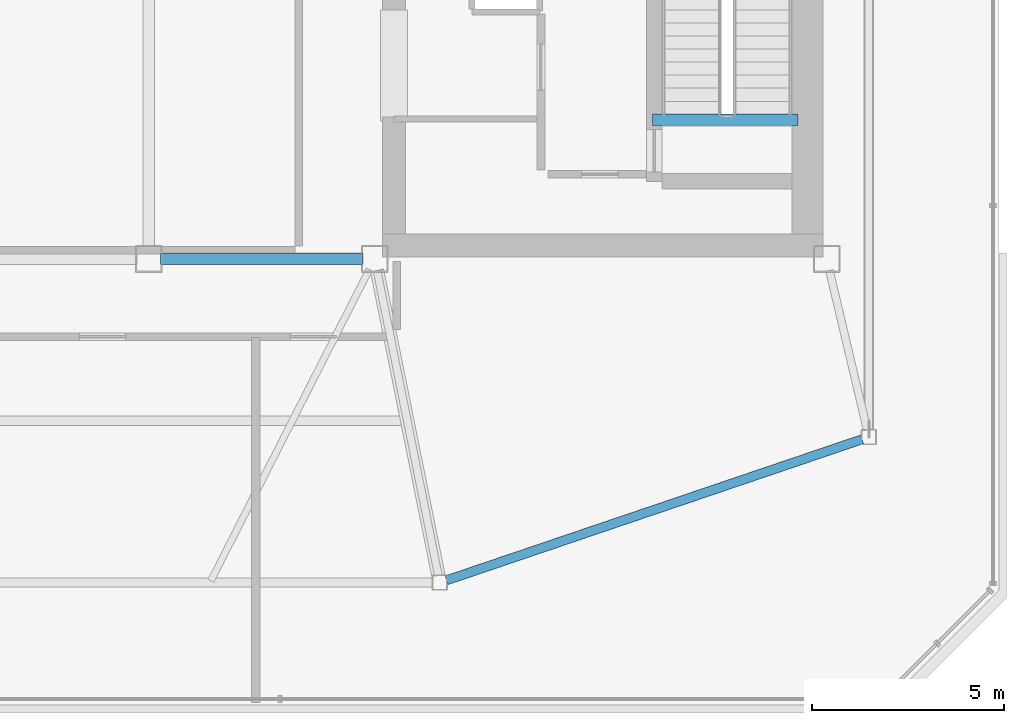
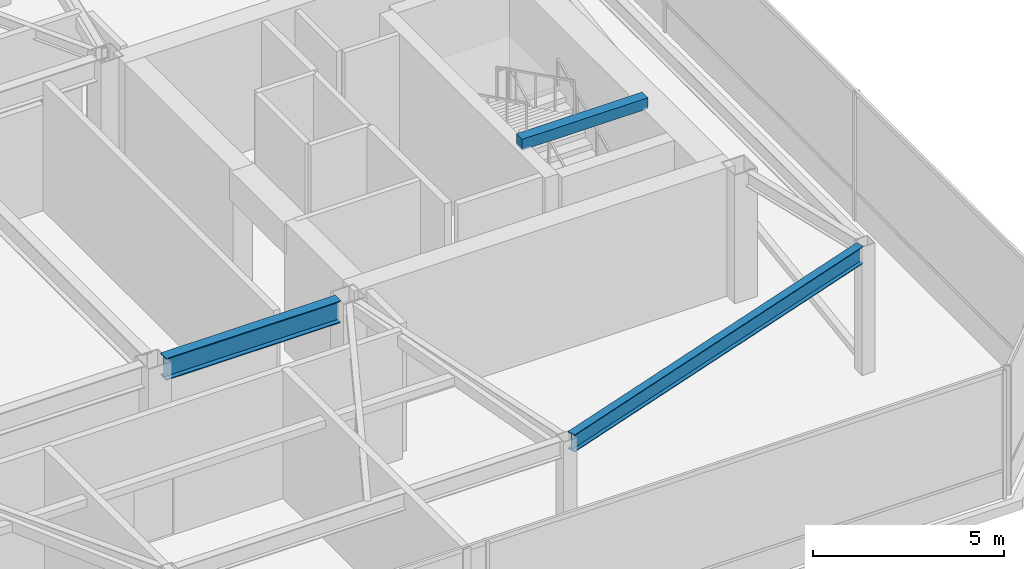
# One storey, part 9 of 21: 3 beams.
"""IFC4 building model written with IfcOpenShell, lengths in metres."""

from ifc_helpers import new_model, si_unit, direction, frame, origin, origin_2d, place, context, subcontext, project, spatial, rectangle, i_section, extrude, material, material_profile, profile_set, type_object, element, save


model = new_model("IFC4")

# Units and contexts
model_context = context("Model", 3, precision=1e-05, world=origin(), true_north=direction((0.0, 1.0)))
body_context = subcontext(model_context, "Body", "Model", "MODEL_VIEW")
ifc_project = project(units=[si_unit("LENGTHUNIT", "METRE"), si_unit("AREAUNIT", "SQUARE_METRE"), si_unit("VOLUMEUNIT", "CUBIC_METRE"), si_unit("PLANEANGLEUNIT", "RADIAN"), si_unit("MASSUNIT", "GRAM", prefix="KILO")], contexts=[model_context])

# Site, building, storey
site_placement = place(None, origin())
site = spatial("IfcSite", under=ifc_project, at=site_placement, CompositionType="ELEMENT")
building_placement = place(site_placement, origin())
building = spatial("IfcBuilding", under=site, at=building_placement, Name="Tavrogorsk Clinical Tower", CompositionType="ELEMENT")
storey_placement = place(building_placement, frame((0.0, 0.0, 344.199951171875)))
storey = spatial("IfcBuildingStorey", under=building, at=storey_placement, Name="L80", CompositionType="ELEMENT", Elevation=344.199951171875)

# Beams
ifc_material_1 = material(Name="Structural steel S390", Category="steel")
ifc_material_profile_1 = material_profile(ifc_material_1, i_section(OverallWidth=0.300048828125, OverallDepth=0.699951171875, WebThickness=0.01708984375, FlangeThickness=0.028076171875, at=origin_2d()), Name="B-700x300x17x28")
ifc_profile_set_1 = profile_set([ifc_material_profile_1], Name="Structural steel S390")
beam_type_1 = type_object("IfcBeamType", Name="PrimaryGirder_B700", PredefinedType="USERDEFINED", material=ifc_profile_set_1)
beam_1_placement = place(storey_placement, frame((4.7099609375, -6.35009765625, 3.75), z_axis=(1.0, 0.0, 0.0), x_axis=(0.0, 1.0, 0.0)))
element("IfcBeam", 1, at=beam_1_placement, inside=storey, type_object=beam_type_1, Name="L80 Primary Spine Girder MG-05", ObjectType="GIRDER", PredefinedType="USERDEFINED", context=body_context, shape_type="SweptSolid", body=[
    extrude(i_section(OverallWidth=0.300048828125, OverallDepth=0.699951171875, WebThickness=0.01708984375, FlangeThickness=0.028076171875, at=origin_2d()), origin(), (0.0, 0.0, 1.0), 5.280029296875),
])
ifc_material_2 = material(Name="Structural steel S390", Category="steel")
ifc_material_profile_2 = material_profile(ifc_material_2, i_section(OverallWidth=0.239990234375, OverallDepth=0.550048828125, WebThickness=0.013916015625, FlangeThickness=0.02197265625, at=origin_2d()), Name="B-550x240x14x22")
ifc_profile_set_2 = profile_set([ifc_material_profile_2], Name="Structural steel S390")
beam_type_2 = type_object("IfcBeamType", Name="SpandrelBeam_B550", PredefinedType="SPANDREL", material=ifc_profile_set_2)
beam_2_placement = place(storey_placement, frame((12.179931640625, -14.739013671875, 3.824951171875), z_axis=(0.946976266831, 0.321303517034, 0.0), x_axis=(-0.321303517034, 0.946976266831, 0.0)))
element("IfcBeam", 2, at=beam_2_placement, inside=storey, type_object=beam_type_2, Name="L80 Crown Spandrel Beam 03", PredefinedType="SPANDREL", context=body_context, shape_type="SweptSolid", body=[
    extrude(i_section(OverallWidth=0.239990234375, OverallDepth=0.550048828125, WebThickness=0.013916015625, FlangeThickness=0.02197265625, at=origin_2d()), origin(), (0.0, 0.0, 1.0), 11.447021484375),
])
ifc_material_3 = material(Name="Concrete B60", Category="concrete")
ifc_material_profile_3 = material_profile(ifc_material_3, rectangle(XDim=0.300048828125, YDim=0.35009765625, at=origin_2d()), Name="RC-SHB-300x350")
ifc_profile_set_3 = profile_set([ifc_material_profile_3], Name="Concrete B60")
beam_type_3 = type_object("IfcBeamType", Name="StairHeaderBeam_RC300x350", PredefinedType="BEAM", material=ifc_profile_set_3)
beam_3_placement = place(storey_placement, frame((17.550048828125, -2.719970703125, 4.22509765625), z_axis=(1.0, 0.0, 0.0), x_axis=(0.0, 1.0, 0.0)))
element("IfcBeam", 3, at=beam_3_placement, inside=storey, type_object=beam_type_3, Name="L81 ST-E Landing Header Beam", PredefinedType="BEAM", context=body_context, shape_type="SweptSolid", body=[
    extrude(rectangle(XDim=0.300048828125, YDim=0.35009765625, at=origin_2d()), origin(), (0.0, 0.0, 1.0), 3.800048828125),
])

save(model, "model.ifc")
